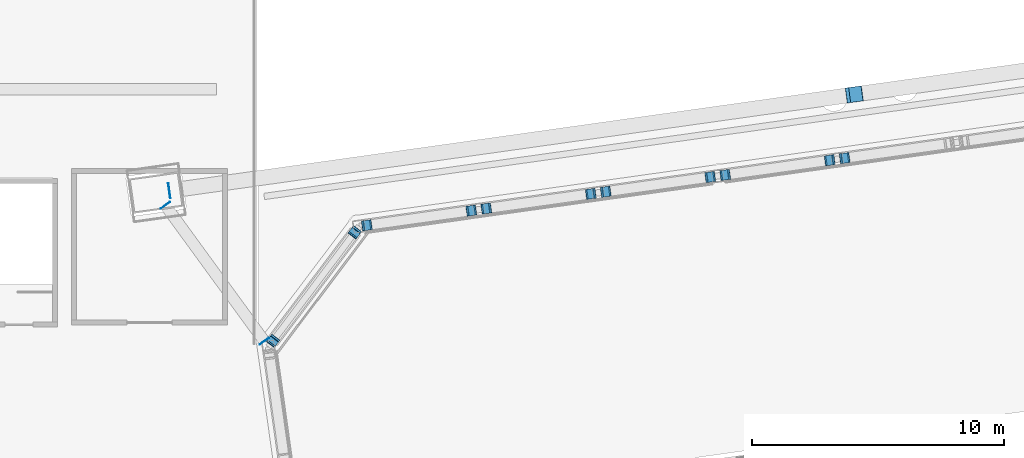
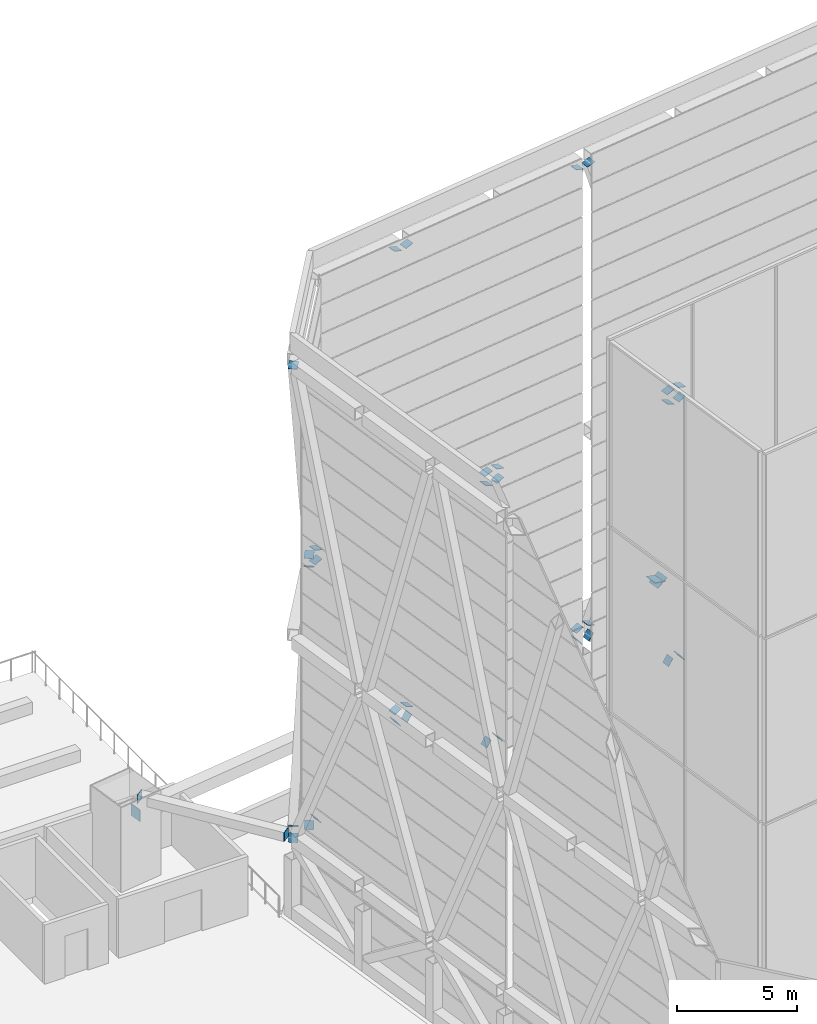
# One storey, part 40 of 45: 38 discrete accessories.
"""IFC4 building model written with IfcOpenShell, lengths in metres."""

from ifc_helpers import new_model, si_unit, direction, frame, origin, origin_2d, place, context, subcontext, project, spatial, rectangle, extrude, material, material_profile, profile_set, type_object, element, save


model = new_model("IFC4")

# Units and contexts
model_context = context("Model", 3, precision=1e-05, world=origin(), true_north=direction((0.0, 1.0)))
body_context = subcontext(model_context, "Body", "Model", "MODEL_VIEW")
ifc_project = project(units=[si_unit("LENGTHUNIT", "METRE"), si_unit("AREAUNIT", "SQUARE_METRE"), si_unit("VOLUMEUNIT", "CUBIC_METRE"), si_unit("PLANEANGLEUNIT", "RADIAN"), si_unit("MASSUNIT", "GRAM", prefix="KILO")], contexts=[model_context])

# Site, building, storey
site_placement = place(None, origin())
site = spatial("IfcSite", under=ifc_project, at=site_placement, CompositionType="ELEMENT")
building_placement = place(site_placement, origin())
building = spatial("IfcBuilding", under=site, at=building_placement, Name="Mirante Cascada Hotel Towers", CompositionType="ELEMENT")
storey_placement = place(building_placement, frame((0.0, 0.0, 269.8)))
storey = spatial("IfcBuildingStorey", under=building, at=storey_placement, Name="Roof garden", CompositionType="ELEMENT", Elevation=269.8)

# Discrete accessories
ifc_material_1 = material(Name="Steel ASTM A572 Gr 50", Category="steel")
ifc_material_profile_1 = material_profile(ifc_material_1, rectangle(XDim=0.4, YDim=0.4, at=origin_2d()), Name="Connection plate 400x400x25 ASTM A572 Gr 50")
ifc_profile_set_1 = profile_set([ifc_material_profile_1], Name="Steel ASTM A572 Gr 50")
discrete_accessory_type_1 = type_object("IfcDiscreteAccessoryType", Name="Connection plate 400x400x25 ASTM A572 Gr 50", PredefinedType="BRACKET", material=ifc_profile_set_1)
discrete_accessory_1_placement = place(storey_placement, frame((16.1545, 14.58, 0.5938), z_axis=(-0.5241426, -0.6921883, 0.496135), x_axis=(0.7972266, -0.6036802, 0.0)))
element("IfcDiscreteAccessory", 1, at=discrete_accessory_1_placement, inside=storey, type_object=discrete_accessory_type_1, Name="Connection plate HT-D", PredefinedType="BRACKET", context=body_context, shape_type="SweptSolid", body=[
    extrude(rectangle(XDim=0.4, YDim=0.4, at=origin_2d()), origin(), (0.0, 0.0, 1.0), 0.025),
])
for number, where, z_axis, x_axis, name in (
    (2, (12.91, 10.2744, 3.6938), (-0.5212316, -0.6936389, 0.4971747), (0.7994451, -0.6007391, 0.0), "Connection plate HT-D"),
    (3, (16.6156, 14.8513, 0.5926), (0.7976993, 0.1082306, 0.5932638), (-0.1344465, 0.9909208, 0.0), "Connection plate HT-D"),
):
    element("IfcDiscreteAccessory", number, at=place(storey_placement, frame(where, z_axis=z_axis, x_axis=x_axis)), inside=storey, type_object=discrete_accessory_type_1, Name=name, PredefinedType="BRACKET", context=body_context, shape_type="SweptSolid", body=[
        extrude(rectangle(XDim=0.4, YDim=0.4, at=origin_2d()), origin(), (0.0, 0.0, 1.0), 0.0249),
    ])
for number, where, z_axis, x_axis, name in (
    (4, (20.7624, 15.434, 3.6926), (0.7973471, 0.1121895, 0.5930018), (-0.1393311, 0.9902459, 0.0), "Connection plate HT-D"),
    (5, (25.5232, 16.1031, 0.5926), (-0.7973471, -0.1121895, 0.5930018), (0.1393311, -0.9902459, 0.0), "Connection plate HT-D"),
    (6, (21.3764, 15.5203, 3.6926), (-0.7973471, -0.1121895, 0.5930018), (0.1393311, -0.9902459, 0.0), "Connection plate HT-D"),
    (7, (26.0974, 16.1838, 0.5926), (0.7973471, 0.1121895, 0.5930018), (-0.1393311, 0.9902459, 0.0), "Connection plate HT-D"),
    (8, (30.2442, 16.7666, 3.6926), (0.7973471, 0.1121895, 0.5930018), (-0.1393311, 0.9902459, 0.0), "Connection plate HT-D"),
    (9, (35.005, 17.4357, 0.5926), (-0.7973471, -0.1121895, 0.5930018), (0.1393311, -0.9902459, 0.0), "Connection plate HT-D"),
    (10, (30.8582, 16.8529, 3.6926), (-0.7973471, -0.1121895, 0.5930018), (0.1393311, -0.9902459, 0.0), "Connection plate HT-D"),
    (11, (35.5792, 17.5164, 0.5926), (0.7973471, 0.1121895, 0.5930018), (-0.1393311, 0.9902459, 0.0), "Connection plate HT-D"),
):
    element("IfcDiscreteAccessory", number, at=place(storey_placement, frame(where, z_axis=z_axis, x_axis=x_axis)), inside=storey, type_object=discrete_accessory_type_1, Name=name, PredefinedType="BRACKET", context=body_context, shape_type="SweptSolid", body=[
        extrude(rectangle(XDim=0.4, YDim=0.4, at=origin_2d()), origin(), (0.0, 0.0, 1.0), 0.025),
    ])
discrete_accessory_2_placement = place(storey_placement, frame((12.8997, 10.2608, 4.2892), z_axis=(0.3010083, 0.3973309, 0.8669038), x_axis=(-0.7970921, 0.6038577, 0.0)))
element("IfcDiscreteAccessory", 12, at=discrete_accessory_2_placement, inside=storey, type_object=discrete_accessory_type_1, Name="Connection plate CF-B", PredefinedType="BRACKET", context=body_context, shape_type="SweptSolid", body=[
    extrude(rectangle(XDim=0.4, YDim=0.4, at=origin_2d()), origin(), (0.0, 0.0, 1.0), 0.0249),
])
for number, where, z_axis, x_axis, name in (
    (13, (16.1442, 14.5663, 13.6892), (0.300527, 0.4007026, 0.8655177), (-0.8, 0.6, 0.0), "Connection plate CF-B"),
    (14, (20.7774, 15.4361, 4.2886), (-0.4043852, -0.0560534, 0.9128695), (0.1373011, -0.9905294, 0.0), "Connection plate CF-B"),
):
    element("IfcDiscreteAccessory", number, at=place(storey_placement, frame(where, z_axis=z_axis, x_axis=x_axis)), inside=storey, type_object=discrete_accessory_type_1, Name=name, PredefinedType="BRACKET", context=body_context, shape_type="SweptSolid", body=[
        extrude(rectangle(XDim=0.4, YDim=0.4, at=origin_2d()), origin(), (0.0, 0.0, 1.0), 0.025),
    ])
discrete_accessory_3_placement = place(storey_placement, frame((16.6306, 14.8534, 13.6886), z_axis=(-0.4009345, -0.0601402, 0.9141306), x_axis=(0.1483405, -0.9889364, 0.0)))
element("IfcDiscreteAccessory", 15, at=discrete_accessory_3_placement, inside=storey, type_object=discrete_accessory_type_1, Name="Connection plate CF-B", PredefinedType="BRACKET", context=body_context, shape_type="SweptSolid", body=[
    extrude(rectangle(XDim=0.4, YDim=0.4, at=origin_2d()), origin(), (0.0, 0.0, 1.0), 0.0249),
])
for number, where, z_axis, x_axis, name in (
    (16, (21.3614, 15.5182, 4.2886), (0.4043852, 0.0560534, 0.9128695), (-0.1373011, 0.9905294, 0.0), "Connection plate CF-B"),
    (17, (25.5082, 16.101, 13.6886), (0.4043852, 0.0560534, 0.9128695), (-0.1373011, 0.9905294, 0.0), "Connection plate CF-B"),
    (18, (30.2592, 16.7687, 4.2886), (-0.4043852, -0.0560534, 0.9128695), (0.1373011, -0.9905294, 0.0), "Connection plate CF-B"),
    (19, (26.1124, 16.1859, 13.6886), (-0.4043852, -0.0560534, 0.9128695), (0.1373011, -0.9905294, 0.0), "Connection plate CF-B"),
    (20, (30.8432, 16.8508, 4.2886), (0.4043852, 0.0560534, 0.9128695), (-0.1373011, 0.9905294, 0.0), "Connection plate CF-B"),
    (21, (34.99, 17.4336, 13.6886), (0.4043852, 0.0560534, 0.9128695), (-0.1373011, 0.9905294, 0.0), "Connection plate CF-B"),
    (22, (35.5942, 17.5185, 13.6886), (-0.4043852, -0.0560534, 0.9128695), (0.1373011, -0.9905294, 0.0), "Connection plate CF-B"),
    (23, (16.1508, 14.575, 14.2884), (-0.2279107, -0.295884, 0.9276364), (0.7922258, -0.610228, 0.0), "Connection plate CF-B"),
    (24, (12.9063, 10.2695, 27.6384), (-0.2238478, -0.2997962, 0.9273696), (0.8012802, -0.5982892, 0.0), "Connection plate CF-B"),
):
    element("IfcDiscreteAccessory", number, at=place(storey_placement, frame(where, z_axis=z_axis, x_axis=x_axis)), inside=storey, type_object=discrete_accessory_type_1, Name=name, PredefinedType="BRACKET", context=body_context, shape_type="SweptSolid", body=[
        extrude(rectangle(XDim=0.4, YDim=0.4, at=origin_2d()), origin(), (0.0, 0.0, 1.0), 0.025),
    ])
for number, where, z_axis, x_axis, name in (
    (25, (16.6219, 14.8521, 14.2881), (0.2966152, 0.0440915, 0.9539787), (-0.1470331, 0.9891316, 0.0), "Connection plate CF-B"),
    (26, (20.7686, 15.4349, 27.6381), (0.2966152, 0.0440915, 0.9539787), (-0.1470331, 0.9891316, 0.0), "Connection plate CF-B"),
    (27, (25.5169, 16.1022, 14.2881), (-0.2966653, -0.0400899, 0.9541397), (0.1339179, -0.9909924, 0.0), "Connection plate CF-B"),
    (28, (21.3702, 15.5195, 27.6381), (-0.2966152, -0.0440915, 0.9539787), (0.1470331, -0.9891316, 0.0), "Connection plate CF-B"),
    (29, (26.1037, 16.1847, 14.2881), (0.2966152, 0.0440915, 0.9539787), (-0.1470331, 0.9891316, 0.0), "Connection plate CF-B"),
    (30, (30.2504, 16.7675, 27.6381), (0.2966653, 0.0400899, 0.9541397), (-0.1339179, 0.9909924, 0.0), "Connection plate CF-B"),
    (31, (34.9987, 17.4348, 14.2881), (-0.2966653, -0.0400899, 0.9541397), (0.1339179, -0.9909924, 0.0), "Connection plate CF-B"),
    (32, (30.852, 16.852, 27.6381), (-0.2966653, -0.0400899, 0.9541397), (0.1339179, -0.9909924, 0.0), "Connection plate CF-B"),
    (33, (35.5855, 17.5173, 14.2881), (0.2966653, 0.0400899, 0.9541397), (-0.1339179, 0.9909924, 0.0), "Connection plate CF-B"),
):
    element("IfcDiscreteAccessory", number, at=place(storey_placement, frame(where, z_axis=z_axis, x_axis=x_axis)), inside=storey, type_object=discrete_accessory_type_1, Name=name, PredefinedType="BRACKET", context=body_context, shape_type="SweptSolid", body=[
        extrude(rectangle(XDim=0.4, YDim=0.4, at=origin_2d()), origin(), (0.0, 0.0, 1.0), 0.0249),
    ])
ifc_material_2 = material(Name="Steel ASTM A572 Gr 50", Category="steel")
ifc_material_profile_2 = material_profile(ifc_material_2, rectangle(XDim=0.45, YDim=0.45, at=origin_2d()), Name="Connection plate 450x450x25 ASTM A572 Gr 50")
ifc_profile_set_2 = profile_set([ifc_material_profile_2], Name="Steel ASTM A572 Gr 50")
discrete_accessory_type_2 = type_object("IfcDiscreteAccessoryType", Name="Connection plate 450x450x25 ASTM A572 Gr 50", PredefinedType="BRACKET", material=ifc_profile_set_2)
for number, where, z_axis, x_axis, name in (
    (34, (8.6218, 15.6576, 4.0), (0.5884097, -0.808563, 0.0), (0.808563, 0.5884097, 0.0), "Connection plate CF-T"),
    (35, (12.5488, 10.2653, 4.0), (0.5884097, -0.808563, 0.0), (0.808563, 0.5884097, 0.0), "Connection plate CF-T"),
):
    element("IfcDiscreteAccessory", number, at=place(storey_placement, frame(where, z_axis=z_axis, x_axis=x_axis)), inside=storey, type_object=discrete_accessory_type_2, Name=name, PredefinedType="BRACKET", context=body_context, shape_type="SweptSolid", body=[
        extrude(rectangle(XDim=0.45, YDim=0.45, at=origin_2d()), origin(), (0.0, 0.0, 1.0), 0.025),
    ])
ifc_material_3 = material(Name="Steel ASTM A572 Gr 50", Category="steel")
ifc_material_profile_3 = material_profile(ifc_material_3, rectangle(XDim=0.6, YDim=0.6, at=origin_2d()), Name="Connection plate 600x600x25 ASTM A572 Gr 50")
ifc_profile_set_3 = profile_set([ifc_material_profile_3], Name="Steel ASTM A572 Gr 50")
discrete_accessory_type_3 = type_object("IfcDiscreteAccessoryType", Name="Connection plate 600x600x25 ASTM A572 Gr 50", PredefinedType="BRACKET", material=ifc_profile_set_3)
for number, where, z_axis, x_axis, name in (
    (36, (35.937, 20.0408, 2.8098), (0.2602354, 0.0360326, 0.9648726), (-0.1371531, 0.9905499, 0.0), "Connection plate MB-FL50L"),
    (37, (36.0462, 20.0561, 2.7211), (-0.5558622, -0.0759812, 0.8277947), (0.1354313, -0.9907867, 0.0), "Connection plate MB-FL50R"),
    (38, (8.7747, 16.2234, 2.8), (0.9907327, 0.1358263, 0.0), (-0.1358263, 0.9907327, 0.0), "Connection plate NCH"),
):
    element("IfcDiscreteAccessory", number, at=place(storey_placement, frame(where, z_axis=z_axis, x_axis=x_axis)), inside=storey, type_object=discrete_accessory_type_3, Name=name, PredefinedType="BRACKET", context=body_context, shape_type="SweptSolid", body=[
        extrude(rectangle(XDim=0.6, YDim=0.6, at=origin_2d()), origin(), (0.0, 0.0, 1.0), 0.025),
    ])

save(model, "model.ifc")
